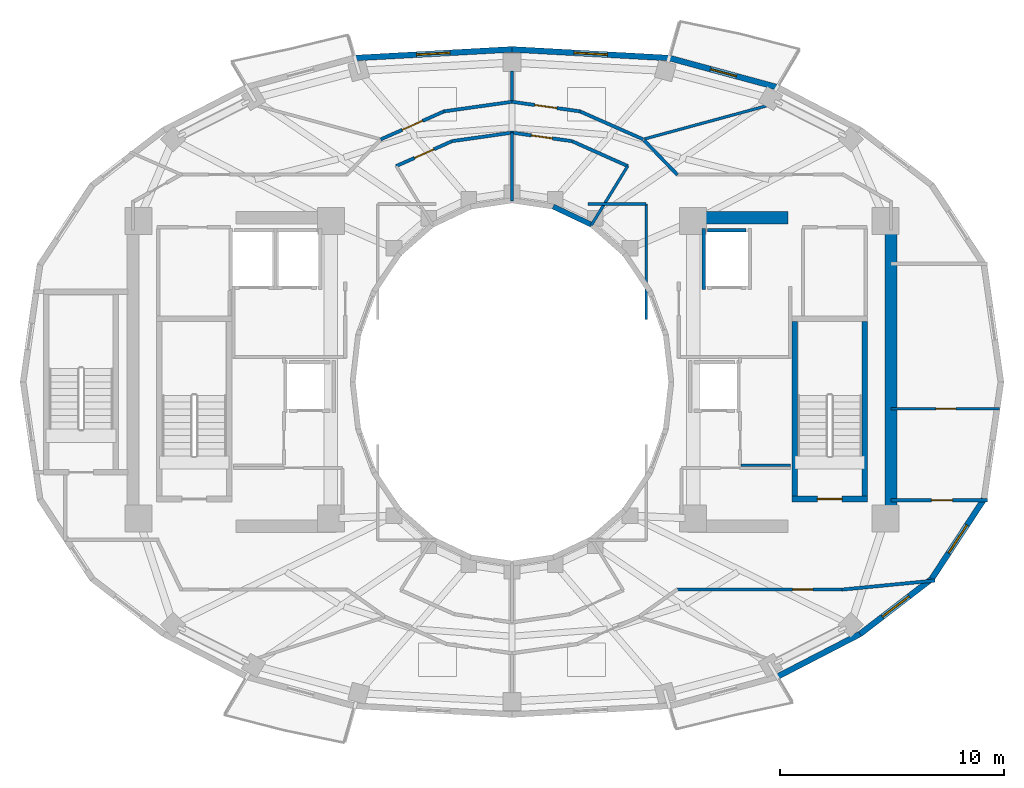
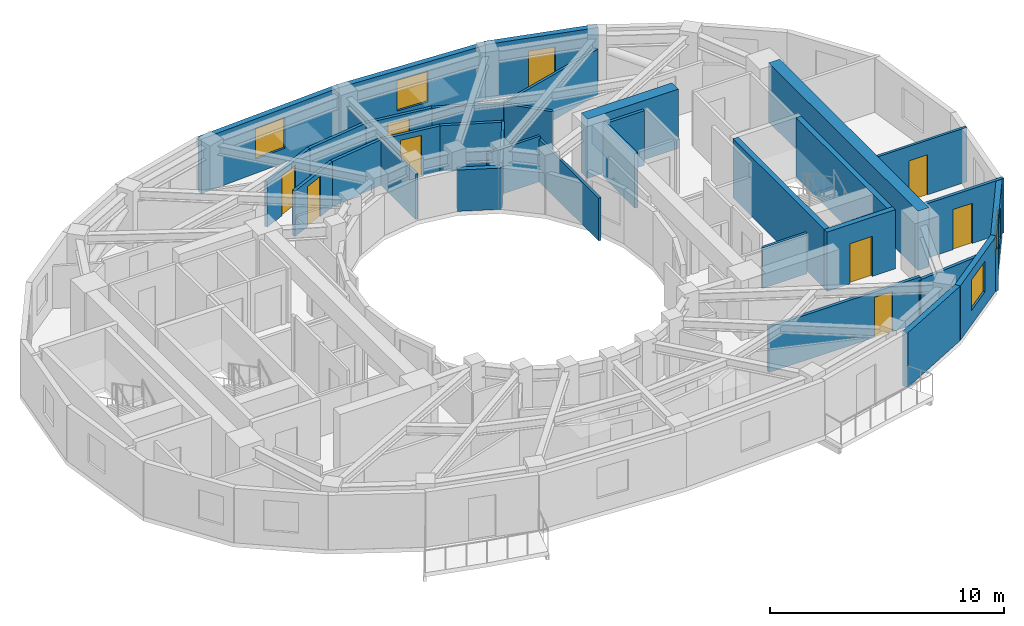
# One storey, part 6 of 10: 34 walls, 9 doors, 4 windows, 13 openings.
"""IFC4 building model written with IfcOpenShell, lengths in metres."""

import ifcopenshell
import ifcopenshell.guid

model = None  # the IFC model being written
_history = None  # IfcOwnerHistory: only IFC2X3 demands one
_inside = {}  # id of a spatial element -> (the spatial element, [elements in it])
_under = {}  # id of a project, library or spatial element -> (it, [spatial elements below it])
_declared = {}  # id of a project -> (the project, [libraries it declares])
_typed = {}  # id of a type object -> (the type object, [elements of that type])
_made_of = {}  # id of a material, layer set ... -> (it, [elements and type objects made of it])


def new_model(schema):
    """Start an empty IFC model of exactly this schema.

    Asked for "IFC4X3", IfcOpenShell would pick the latest addendum, in which some entities
    have other attributes; the version numbers below select the first issue.
    IFC2X3 requires an IfcOwnerHistory on every rooted entity: one is made here for all.
    """
    global model, _history
    if schema == "IFC4X3":
        model = ifcopenshell.file(schema_version=(4, 3, 0, 0))
    else:
        model = ifcopenshell.file(schema=schema)
    _inside.clear()
    _under.clear()
    _declared.clear()
    _typed.clear()
    _made_of.clear()
    _history = None
    if model.schema == "IFC2X3":
        org = make("IfcOrganization", Name="unknown")
        user = make(
            "IfcPersonAndOrganization",
            ThePerson=make("IfcPerson", FamilyName="unknown"),
            TheOrganization=org,
        )
        app = make(
            "IfcApplication",
            ApplicationDeveloper=org,
            Version="unknown",
            ApplicationFullName="unknown",
            ApplicationIdentifier="unknown",
        )
        _history = make(
            "IfcOwnerHistory",
            OwningUser=user,
            OwningApplication=app,
            ChangeAction="ADDED",
            CreationDate=0,
        )
    return model


def make(cls, **values):
    """One entity of the class cls with the attributes given. An attribute that is None is left unset."""
    return model.create_entity(
        cls, **{name: value for name, value in values.items() if value is not None}
    )


def rooted(cls, **values):
    """An entity with a GlobalId (a new one), such as an element, a storey or a relation."""
    return make(cls, GlobalId=ifcopenshell.guid.new(), OwnerHistory=_history, **values)


def si_unit(unit_type, name, prefix=None):
    """IfcSIUnit, for example si_unit("LENGTHUNIT", "METRE", prefix="MILLI")."""
    return make("IfcSIUnit", UnitType=unit_type, Prefix=prefix, Name=name)


def assignment(units):
    """IfcUnitAssignment: the units of a project."""
    return None if units is None else make("IfcUnitAssignment", Units=units)


def point(xyz):
    """IfcCartesianPoint."""
    return None if xyz is None else make("IfcCartesianPoint", Coordinates=xyz)


def direction(xyz):
    """IfcDirection."""
    return None if xyz is None else make("IfcDirection", DirectionRatios=xyz)


def frame(location, z_axis=None, x_axis=None):
    """IfcAxis2Placement3D, a coordinate frame: its origin and axes. An axis left out is left unset."""
    return make(
        "IfcAxis2Placement3D",
        Location=point(location),
        Axis=direction(z_axis),
        RefDirection=direction(x_axis),
    )


def frame_2d(location, x_axis=None):
    """IfcAxis2Placement2D, a coordinate frame in the plane: its origin and x axis."""
    return make(
        "IfcAxis2Placement2D", Location=point(location), RefDirection=direction(x_axis)
    )


def origin():
    """The frame at (0, 0, 0) with its axes left unset."""
    return frame((0.0, 0.0, 0.0))


def place(relative_to, where):
    """IfcLocalPlacement: puts the frame where relative to a parent placement (None: the world)."""
    return make(
        "IfcLocalPlacement", PlacementRelTo=relative_to, RelativePlacement=where
    )


def context(
    kind, dimensions, precision=None, world=None, true_north=None, identifier=None
):
    """IfcGeometricRepresentationContext, for example the 3D "Model" context."""
    return make(
        "IfcGeometricRepresentationContext",
        ContextIdentifier=identifier,
        ContextType=kind,
        CoordinateSpaceDimension=dimensions,
        Precision=precision,
        WorldCoordinateSystem=world,
        TrueNorth=true_north,
    )


def subcontext(parent, identifier, kind, view, scale=None):
    """IfcGeometricRepresentationSubContext, for example "Body" below "Model"."""
    return make(
        "IfcGeometricRepresentationSubContext",
        ContextIdentifier=identifier,
        ContextType=kind,
        ParentContext=parent,
        TargetScale=scale,
        TargetView=view,
    )


def project(units=None, contexts=None):
    """IfcProject with its units and contexts."""
    return rooted(
        "IfcProject",
        Name="project",
        RepresentationContexts=contexts,
        UnitsInContext=assignment(units),
    )


def spatial(cls, under=None, at=None, **own):
    """A site, building, storey or space (cls), placed at a placement, below another one or the project."""
    s = rooted(cls, ObjectPlacement=at, **own)
    if under is not None:
        _under.setdefault(under.id(), (under, []))[1].append(s)
    return s


def profile(cls, at=None, kind="AREA", **sizes):
    """A parametric profile (cls). Its sizes go by their IFC names, for example OverallWidth=200.0."""
    return make(cls, ProfileType=kind, Position=at, **sizes)


def rectangle(**sizes):
    """IfcRectangleProfileDef."""
    return profile("IfcRectangleProfileDef", **sizes)


def extrude(swept, where, along, depth):
    """IfcExtrudedAreaSolid: the profile swept, set in the frame where, extruded along a direction by depth."""
    return make(
        "IfcExtrudedAreaSolid",
        SweptArea=swept,
        Position=where,
        ExtrudedDirection=direction(along),
        Depth=depth,
    )


def shape(context_of_items, identifier, shape_type, items):
    """IfcShapeRepresentation: the items that make up one representation, for example the "Body"."""
    return make(
        "IfcShapeRepresentation",
        ContextOfItems=context_of_items,
        RepresentationIdentifier=identifier,
        RepresentationType=shape_type,
        Items=items,
    )


def material(Name=None, Category=None):
    """IfcMaterial."""
    return make("IfcMaterial", Name=Name, Category=Category)


def layer(
    of_material, thickness, ventilated=None, Name=None, Category=None, Priority=None
):
    """IfcMaterialLayer: one layer of a wall or slab, of a material (None: an air gap)."""
    return make(
        "IfcMaterialLayer",
        Material=of_material,
        LayerThickness=thickness,
        IsVentilated=ventilated,
        Name=Name,
        Category=Category,
        Priority=Priority,
    )


def layer_set(layers, Name=None):
    """IfcMaterialLayerSet."""
    return make("IfcMaterialLayerSet", MaterialLayers=layers, LayerSetName=Name)


def made_of(thing, what):
    """Note that an element or type object is made of a material, layer set ...; save() writes the relation."""
    if what is not None:
        _made_of.setdefault(what.id(), (what, []))[1].append(thing)
    return thing


def type_object(cls, material=None, **own):
    """A type object (cls), such as IfcWallType, which elements share."""
    return made_of(rooted(cls, **own), material)


def element(
    cls,
    number,
    at=None,
    inside=None,
    cuts=None,
    type_object=None,
    material=None,
    context=None,
    identifier="Body",
    shape_type=None,
    held_by="IfcProductDefinitionShape",
    body=None,
    shapes=None,
    **own,
):
    """One element of the class cls, such as IfcWall. Its Tag is "e" and its number.

    at: its placement. inside: the storey or other place that contains it. cuts: it is an
    opening in that element (IfcRelVoidsElement). A single representation is given by context,
    identifier, shape_type and body (its items); several are given by shapes. held_by: the class
    of the entity that holds the representations. save() writes the other relations.
    """
    e = rooted(cls, Tag="e%d" % number, ObjectPlacement=at, **own)
    if body is not None:
        shapes = [shape(context, identifier, shape_type, body)]
    if shapes is not None:
        e.Representation = make(held_by, Representations=shapes)
    if inside is not None:
        _inside.setdefault(inside.id(), (inside, []))[1].append(e)
    if cuts is not None:
        rooted(
            "IfcRelVoidsElement", RelatingBuildingElement=cuts, RelatedOpeningElement=e
        )
    if type_object is not None:
        _typed.setdefault(type_object.id(), (type_object, []))[1].append(e)
    return made_of(e, material)


def fill(opening, filler):
    """IfcRelFillsElement: the door or window that sits in an opening."""
    return rooted(
        "IfcRelFillsElement",
        RelatingOpeningElement=opening,
        RelatedBuildingElement=filler,
    )


def aggregate(whole, parts):
    """IfcRelAggregates: a whole, such as a stair, and the parts it consists of."""
    return rooted("IfcRelAggregates", RelatingObject=whole, RelatedObjects=parts)


def save(model, path):
    """Write the relations noted so far, then the file.

    IfcRelAggregates (storeys below a building ...), IfcRelContainedInSpatialStructure (elements
    in a storey), IfcRelDefinesByType, IfcRelAssociatesMaterial and IfcRelDeclares: one each for
    every whole, place, type object, material and project.
    """
    for whole, parts in _under.values():
        aggregate(whole, parts)
    for where, things in _inside.values():
        rooted(
            "IfcRelContainedInSpatialStructure",
            RelatedElements=things,
            RelatingStructure=where,
        )
    for kind, things in _typed.values():
        rooted("IfcRelDefinesByType", RelatedObjects=things, RelatingType=kind)
    for what, things in _made_of.values():
        rooted("IfcRelAssociatesMaterial", RelatedObjects=things, RelatingMaterial=what)
    for by, libraries in _declared.values():
        rooted("IfcRelDeclares", RelatingContext=by, RelatedDefinitions=libraries)
    model.write(path)


model = new_model("IFC4")

# Units and contexts
model_context = context("Model", 3, precision=1e-05, world=origin(), true_north=direction((0.0, 1.0)))
body_context = subcontext(model_context, "Body", "Model", "MODEL_VIEW")
ifc_project = project(units=[si_unit("LENGTHUNIT", "METRE"), si_unit("AREAUNIT", "SQUARE_METRE"), si_unit("VOLUMEUNIT", "CUBIC_METRE"), si_unit("PLANEANGLEUNIT", "RADIAN"), si_unit("MASSUNIT", "GRAM", prefix="KILO")], contexts=[model_context])

# Site, building, storey
site_placement = place(None, origin())
site = spatial("IfcSite", under=ifc_project, at=site_placement, CompositionType="ELEMENT")
building_placement = place(site_placement, origin())
building = spatial("IfcBuilding", under=site, at=building_placement, Name="Solvane Sanctuary Tower", CompositionType="ELEMENT")
storey_placement = place(building_placement, frame((0.0, 0.0, 204.699951171875)))
storey = spatial("IfcBuildingStorey", under=building, at=storey_placement, Name="L62", CompositionType="ELEMENT", Elevation=204.699951171875)

# Walls
ifc_material_1 = material(Name="Concrete C50/60", Category="concrete")
ifc_layer_1 = layer(ifc_material_1, 0.550048828125, Name="Concrete C50/60")
ifc_layer_set_1 = layer_set([ifc_layer_1], Name="Concrete C50/60")
wall_type_1 = type_object("IfcWallType", Name="Wall W-CORE-550", PredefinedType="SHEAR", material=ifc_layer_set_1)
wall_1_placement = place(storey_placement, frame((48.949951171875, 17.050048828125, 0.0), z_axis=(0.0, 0.0, 1.0), x_axis=(0.0, 1.0, 0.0)))
element("IfcWall", 1, at=wall_1_placement, inside=storey, type_object=wall_type_1, Name="L62 Core Shear Wall EC-E", PredefinedType="SHEAR", context=body_context, shape_type="SweptSolid", body=[
    extrude(rectangle(XDim=12.800048828125, YDim=0.550048828125, at=frame_2d((6.39990234375, 0.0))), origin(), (0.0, 0.0, 1.0), 3.10009765625),
])
wall_2_placement = place(storey_placement, frame((39.85009765625, 30.35009765625, 0.0), z_axis=(0.0, 0.0, 1.0), x_axis=(1.0, 0.0, 0.0)))
element("IfcWall", 2, at=wall_2_placement, inside=storey, type_object=wall_type_1, Name="L62 Core Shear Wall EC-N", PredefinedType="SHEAR", context=body_context, shape_type="SweptSolid", body=[
    extrude(rectangle(XDim=4.5, YDim=0.550048828125, at=frame_2d((2.25, 0.0))), origin(), (0.0, 0.0, 1.0), 3.10009765625),
])
ifc_material_2 = material(Name="Acoustic Gypsum Partition Board")
ifc_layer_2 = layer(ifc_material_2, 0.14990234375, Name="Acoustic Gypsum Partition Board")
ifc_layer_set_2 = layer_set([ifc_layer_2], Name="Acoustic Gypsum Partition Board")
wall_type_2 = type_object("IfcWallType", Name="Wall W-CORR-150", PredefinedType="PARTITIONING", material=ifc_layer_set_2)
wall_3_placement = place(storey_placement, frame((37.181396484375, 32.65234375, 0.0), z_axis=(0.0, 0.0, 1.0), x_axis=(-0.913120130558, 0.407690602257, 0.0)))
element("IfcWall", 3, at=wall_3_placement, inside=storey, type_object=wall_type_2, Name="L62 Light-Well Alcove Corridor Wall 1", PredefinedType="PARTITIONING", context=body_context, shape_type="SweptSolid", body=[
    extrude(rectangle(XDim=2.74267578125, YDim=0.14990234375, at=frame_2d((1.371337890625, 0.0))), origin(), (0.0, 0.0, 1.0), 2.3759765625),
])

# Wall, opening, door
wall_4_placement = place(storey_placement, frame((34.680419921875, 33.76953125, 0.0), z_axis=(0.0, 0.0, 1.0), x_axis=(-0.990132151456, 0.140136799779, 0.0)))
wall_4 = element("IfcWall", 4, at=wall_4_placement, inside=storey, type_object=wall_type_2, Name="L62 Light-Well Alcove Corridor Wall 1", PredefinedType="PARTITIONING", context=body_context, shape_type="SweptSolid", body=[
    extrude(rectangle(XDim=2.71435546875, YDim=0.14990234375, at=frame_2d((1.357177734375, 0.0))), origin(), (0.0, 0.0, 1.0), 2.3759765625),
])
opening_1_placement = place(wall_4_placement, frame((0.882080078125, 0.0, 0.0)))
opening_1 = element("IfcOpeningElement", 5, at=opening_1_placement, cuts=wall_4, Name="Opening D-L62-16", PredefinedType="OPENING", context=body_context, shape_type="SweptSolid", body=[
    extrude(rectangle(XDim=0.949951171875, YDim=2.10009765625, at=frame_2d((0.47509765625, 1.050048828125))), frame((0.0, 0.0849609375, 0.0), z_axis=(0.0, -1.0, 0.0), x_axis=(1.0, 0.0, 0.0)), (0.0, 0.0, 1.0), 0.169921875),
])
ifc_material_3 = material(Name="Engineered Tropical Hardwood", Category="wood")
door_type_1 = type_object("IfcDoorType", Name="Door D-ROOM-950", OperationType="NOTDEFINED", PredefinedType="DOOR", material=ifc_material_3)
door_1_placement = place(opening_1_placement, origin())
door_1 = element("IfcDoor", 6, at=door_1_placement, inside=storey, type_object=door_type_1, Name="L62 Light-Well Alcove Door 1", OperationType="SINGLE_SWING_LEFT", OverallHeight=2.10009765625, OverallWidth=0.949951171875, PredefinedType="DOOR", context=body_context, shape_type="SweptSolid", body=[
    extrude(rectangle(XDim=0.949951171875, YDim=2.10009765625, at=frame_2d((0.47509765625, 1.050048828125))), frame((0.0, 0.02490234375, 0.0), z_axis=(0.0, -1.0, 0.0), x_axis=(1.0, 0.0, 0.0)), (0.0, 0.0, 1.0), 0.050048828125),
])
fill(opening_1, door_1)

# Wall
wall_5_placement = place(storey_placement, frame((32.007080078125, 34.14990234375, 0.0), z_axis=(0.0, 0.0, 1.0), x_axis=(-0.990132151456, -0.140136799779, 0.0)))
element("IfcWall", 7, at=wall_5_placement, inside=storey, type_object=wall_type_2, Name="L62 Light-Well Alcove Corridor Wall 2", PredefinedType="PARTITIONING", context=body_context, shape_type="SweptSolid", body=[
    extrude(rectangle(XDim=2.71435546875, YDim=0.14990234375, at=frame_2d((1.357177734375, 0.0))), origin(), (0.0, 0.0, 1.0), 2.3759765625),
])

# Wall, opening, door
wall_6_placement = place(storey_placement, frame((29.322998046875, 33.7705078125, 0.0), z_axis=(0.0, 0.0, 1.0), x_axis=(-0.913120130558, -0.407690602257, 0.0)))
wall_6 = element("IfcWall", 8, at=wall_6_placement, inside=storey, type_object=wall_type_2, Name="L62 Light-Well Alcove Corridor Wall 2", PredefinedType="PARTITIONING", context=body_context, shape_type="SweptSolid", body=[
    extrude(rectangle(XDim=2.74267578125, YDim=0.14990234375, at=frame_2d((1.371337890625, 0.0))), origin(), (0.0, 0.0, 1.0), 2.3759765625),
])
opening_2_placement = place(wall_6_placement, frame((0.896240234375, 0.0, 0.0)))
opening_2 = element("IfcOpeningElement", 9, at=opening_2_placement, cuts=wall_6, Name="Opening D-L62-17", PredefinedType="OPENING", context=body_context, shape_type="SweptSolid", body=[
    extrude(rectangle(XDim=0.949951171875, YDim=2.10009765625, at=frame_2d((0.47509765625, 1.050048828125))), frame((0.0, 0.0849609375, 0.0), z_axis=(0.0, -1.0, 0.0), x_axis=(1.0, 0.0, 0.0)), (0.0, 0.0, 1.0), 0.169921875),
])
door_2_placement = place(opening_2_placement, origin())
door_2 = element("IfcDoor", 10, at=door_2_placement, inside=storey, type_object=door_type_1, Name="L62 Light-Well Alcove Door 2", OperationType="SINGLE_SWING_RIGHT", OverallHeight=2.10009765625, OverallWidth=0.949951171875, PredefinedType="DOOR", context=body_context, shape_type="SweptSolid", body=[
    extrude(rectangle(XDim=0.949951171875, YDim=2.10009765625, at=frame_2d((0.47509765625, 1.050048828125))), frame((0.0, 0.02490234375, 0.0), z_axis=(0.0, -1.0, 0.0), x_axis=(1.0, 0.0, 0.0)), (0.0, 0.0, 1.0), 0.050048828125),
])
fill(opening_2, door_2)

wall_7_placement = place(storey_placement, frame((48.949951171875, 17.718505859375, 0.0), z_axis=(0.0, 0.0, 1.0), x_axis=(1.0, 0.0, 0.0)))
wall_7 = element("IfcWall", 11, at=wall_7_placement, inside=storey, type_object=wall_type_2, Name="L62 East Shoulder South Wall", PredefinedType="PARTITIONING", context=body_context, shape_type="SweptSolid", body=[
    extrude(rectangle(XDim=4.3203125, YDim=0.14990234375, at=frame_2d((2.16015625, 0.0))), origin(), (0.0, 0.0, 1.0), 2.85498046875),
])
opening_3_placement = place(wall_7_placement, frame((1.801025390625, 0.0, 0.0)))
opening_3 = element("IfcOpeningElement", 12, at=opening_3_placement, cuts=wall_7, Name="Opening D-L62-20", PredefinedType="OPENING", context=body_context, shape_type="SweptSolid", body=[
    extrude(rectangle(XDim=0.949951171875, YDim=2.10009765625, at=frame_2d((0.47509765625, 1.050048828125))), frame((0.0, 0.0849609375, 0.0), z_axis=(0.0, -1.0, 0.0), x_axis=(1.0, 0.0, 0.0)), (0.0, 0.0, 1.0), 0.169921875),
])
door_3_placement = place(opening_3_placement, origin())
door_3 = element("IfcDoor", 13, at=door_3_placement, inside=storey, type_object=door_type_1, Name="L62 East Shoulder South Door", OperationType="SINGLE_SWING_LEFT", OverallHeight=2.10009765625, OverallWidth=0.949951171875, PredefinedType="DOOR", context=body_context, shape_type="SweptSolid", body=[
    extrude(rectangle(XDim=0.949951171875, YDim=2.10009765625, at=frame_2d((0.47509765625, 1.050048828125))), frame((0.0, 0.02490234375, 0.0), z_axis=(0.0, -1.0, 0.0), x_axis=(1.0, 0.0, 0.0)), (0.0, 0.0, 1.0), 0.050048828125),
])
fill(opening_3, door_3)

# Wall
wall_8_placement = place(storey_placement, frame((37.9033203125, 33.811767578125, 0.0), z_axis=(0.0, 0.0, 1.0), x_axis=(0.694032962553, -0.719943224768, 0.0)))
element("IfcWall", 14, at=wall_8_placement, inside=storey, type_object=wall_type_2, Name="L62 NE Corner Throat Wall", PredefinedType="PARTITIONING", context=body_context, shape_type="SweptSolid", body=[
    extrude(rectangle(XDim=2.15771484375, YDim=0.14990234375, at=frame_2d((1.078857421875, 0.0))), origin(), (0.0, 0.0, 1.0), 2.3759765625),
])

# Wall, opening, door
wall_9_placement = place(storey_placement, frame((39.330078125, 13.719970703125, 0.0), z_axis=(0.0, 0.0, 1.0), x_axis=(1.0, 0.0, 0.0)))
wall_9 = element("IfcWall", 15, at=wall_9_placement, inside=storey, type_object=wall_type_2, Name="L62 SE Corner Corridor Wall", PredefinedType="PARTITIONING", context=body_context, shape_type="SweptSolid", body=[
    extrude(rectangle(XDim=7.52001953125, YDim=0.14990234375, at=frame_2d((3.760009765625, 0.0))), origin(), (0.0, 0.0, 1.0), 2.3759765625),
])
opening_4_placement = place(wall_9_placement, frame((5.219970703125, 0.0, 0.0)))
opening_4 = element("IfcOpeningElement", 16, at=opening_4_placement, cuts=wall_9, Name="Opening D-L62-26", PredefinedType="OPENING", context=body_context, shape_type="SweptSolid", body=[
    extrude(rectangle(XDim=0.89990234375, YDim=2.10009765625, at=frame_2d((0.449951171875, 1.050048828125))), frame((0.0, 0.0849609375, 0.0), z_axis=(0.0, -1.0, 0.0), x_axis=(1.0, 0.0, 0.0)), (0.0, 0.0, 1.0), 0.169921875),
])
door_type_2 = type_object("IfcDoorType", Name="Door D-WET-900", OperationType="NOTDEFINED", PredefinedType="DOOR", material=ifc_material_3)
door_4_placement = place(opening_4_placement, origin())
door_4 = element("IfcDoor", 17, at=door_4_placement, inside=storey, type_object=door_type_2, Name="L62 SE Corner Salon Door", OperationType="SINGLE_SWING_LEFT", OverallHeight=2.10009765625, OverallWidth=0.89990234375, PredefinedType="DOOR", context=body_context, shape_type="SweptSolid", body=[
    extrude(rectangle(XDim=0.89990234375, YDim=2.10009765625, at=frame_2d((0.449951171875, 1.050048828125))), frame((0.0, 0.02490234375, 0.0), z_axis=(0.0, -1.0, 0.0), x_axis=(1.0, 0.0, 0.0)), (0.0, 0.0, 1.0), 0.050048828125),
])
fill(opening_4, door_4)

# Walls
wall_10_placement = place(storey_placement, frame((46.750244140625, 13.715087890625, 0.0), z_axis=(0.0, 0.0, 1.0), x_axis=(0.995223854991, 0.097619047609, 0.0)))
element("IfcWall", 18, at=wall_10_placement, inside=storey, type_object=wall_type_2, Name="L62 SE Corner Wing Wall", PredefinedType="PARTITIONING", context=body_context, shape_type="SweptSolid", body=[
    extrude(rectangle(XDim=4.181640625, YDim=0.14990234375, at=frame_2d((2.0908203125, 0.0))), origin(), (0.0, 0.0, 1.0), 2.219970703125),
])
wall_11_placement = place(storey_placement, frame((37.8720703125, 33.846923828125, 0.0), z_axis=(0.0, 0.0, 1.0), x_axis=(-0.914490094652, 0.40460828808, 0.0)))
element("IfcWall", 19, at=wall_11_placement, inside=storey, type_object=wall_type_2, Name="L62 Unit Corridor Wall N1", PredefinedType="PARTITIONING", context=body_context, shape_type="SweptSolid", body=[
    extrude(rectangle(XDim=3.10986328125, YDim=0.14990234375, at=frame_2d((1.554931640625, 0.0))), origin(), (0.0, 0.0, 1.0), 2.3759765625),
])

# Wall, opening, door
wall_12_placement = place(storey_placement, frame((35.0439453125, 35.100830078125, 0.0), z_axis=(0.0, 0.0, 1.0), x_axis=(-0.990257602807, 0.139247549651, 0.0)))
wall_12 = element("IfcWall", 20, at=wall_12_placement, inside=storey, type_object=wall_type_2, Name="L62 Unit Corridor Wall N1", PredefinedType="PARTITIONING", context=body_context, shape_type="SweptSolid", body=[
    extrude(rectangle(XDim=3.082275390625, YDim=0.14990234375, at=frame_2d((1.541015625, 0.0))), origin(), (0.0, 0.0, 1.0), 2.3759765625),
])
opening_5_placement = place(wall_12_placement, frame((1.041015625, 0.0, 0.0)))
opening_5 = element("IfcOpeningElement", 21, at=opening_5_placement, cuts=wall_12, Name="Opening D-L62-27", PredefinedType="OPENING", context=body_context, shape_type="SweptSolid", body=[
    extrude(rectangle(XDim=1.0, YDim=2.10009765625, at=frame_2d((0.5, 1.050048828125))), frame((0.0, 0.0849609375, 0.0), z_axis=(0.0, -1.0, 0.0), x_axis=(1.0, 0.0, 0.0)), (0.0, 0.0, 1.0), 0.169921875),
])
door_type_3 = type_object("IfcDoorType", Name="Door D-UNIT", OperationType="NOTDEFINED", PredefinedType="DOOR", material=ifc_material_3)
door_5_placement = place(opening_5_placement, origin())
door_5 = element("IfcDoor", 22, at=door_5_placement, inside=storey, type_object=door_type_3, Name="L62 Unit Entrance Door N1", OperationType="SINGLE_SWING_RIGHT", OverallHeight=2.10009765625, OverallWidth=1.0, PredefinedType="DOOR", context=body_context, shape_type="SweptSolid", body=[
    extrude(rectangle(XDim=1.0, YDim=2.10009765625, at=frame_2d((0.5, 1.050048828125))), frame((0.0, 0.02490234375, 0.0), z_axis=(0.0, -1.0, 0.0), x_axis=(1.0, 0.0, 0.0)), (0.0, 0.0, 1.0), 0.050048828125),
])
fill(opening_5, door_5)

# Wall
wall_13_placement = place(storey_placement, frame((32.00830078125, 35.530029296875, 0.0), z_axis=(0.0, 0.0, 1.0), x_axis=(-0.990257602807, -0.139247549651, 0.0)))
element("IfcWall", 23, at=wall_13_placement, inside=storey, type_object=wall_type_2, Name="L62 Unit Corridor Wall N2", PredefinedType="PARTITIONING", context=body_context, shape_type="SweptSolid", body=[
    extrude(rectangle(XDim=3.082275390625, YDim=0.14990234375, at=frame_2d((1.541015625, 0.0))), origin(), (0.0, 0.0, 1.0), 2.3759765625),
])

# Wall, opening, door
wall_14_placement = place(storey_placement, frame((28.971923828125, 35.105224609375, 0.0), z_axis=(0.0, 0.0, 1.0), x_axis=(-0.914490094652, -0.40460828808, 0.0)))
wall_14 = element("IfcWall", 24, at=wall_14_placement, inside=storey, type_object=wall_type_2, Name="L62 Unit Corridor Wall N2", PredefinedType="PARTITIONING", context=body_context, shape_type="SweptSolid", body=[
    extrude(rectangle(XDim=3.10986328125, YDim=0.14990234375, at=frame_2d((1.554931640625, 0.0))), origin(), (0.0, 0.0, 1.0), 2.3759765625),
])
opening_6_placement = place(wall_14_placement, frame((1.054931640625, 0.0, 0.0)))
opening_6 = element("IfcOpeningElement", 25, at=opening_6_placement, cuts=wall_14, Name="Opening D-L62-28", PredefinedType="OPENING", context=body_context, shape_type="SweptSolid", body=[
    extrude(rectangle(XDim=1.0, YDim=2.10009765625, at=frame_2d((0.5, 1.050048828125))), frame((0.0, 0.0849609375, 0.0), z_axis=(0.0, -1.0, 0.0), x_axis=(1.0, 0.0, 0.0)), (0.0, 0.0, 1.0), 0.169921875),
])
door_6_placement = place(opening_6_placement, origin())
door_6 = element("IfcDoor", 26, at=door_6_placement, inside=storey, type_object=door_type_3, Name="L62 Unit Entrance Door N2", OperationType="SINGLE_SWING_LEFT", OverallHeight=2.10009765625, OverallWidth=1.0, PredefinedType="DOOR", context=body_context, shape_type="SweptSolid", body=[
    extrude(rectangle(XDim=1.0, YDim=2.10009765625, at=frame_2d((0.5, 1.050048828125))), frame((0.0, 0.02490234375, 0.0), z_axis=(0.0, -1.0, 0.0), x_axis=(1.0, 0.0, 0.0)), (0.0, 0.0, 1.0), 0.050048828125),
])
fill(opening_6, door_6)

ifc_material_4 = material(Name="Precast concrete C40/50", Category="concrete")
ifc_layer_3 = layer(ifc_material_4, 0.260009765625, Name="Precast concrete C40/50")
ifc_layer_set_3 = layer_set([ifc_layer_3], Name="Precast concrete C40/50")
wall_type_3 = type_object("IfcWallType", Name="Wall W-EXT-250", PredefinedType="STANDARD", material=ifc_layer_set_3)
wall_15_placement = place(storey_placement, frame((43.8701171875, 36.177001953125, 0.0), z_axis=(0.0, 0.0, 1.0), x_axis=(-0.965213026382, 0.261464746576, 0.0)))
wall_15 = element("IfcWall", 27, at=wall_15_placement, inside=storey, type_object=wall_type_3, Name="L62 Balcony Facade Wall N1", PredefinedType="STANDARD", context=body_context, shape_type="SweptSolid", body=[
    extrude(rectangle(XDim=5.001220703125, YDim=0.260009765625, at=frame_2d((2.50048828125, 0.0))), origin(), (0.0, 0.0, 1.0), 2.880126953125),
])
opening_7_placement = place(wall_15_placement, frame((1.900390625, 0.0, 0.0)))
opening_7 = element("IfcOpeningElement", 28, at=opening_7_placement, cuts=wall_15, Name="Opening D-L62-01", PredefinedType="OPENING", context=body_context, shape_type="SweptSolid", body=[
    extrude(rectangle(XDim=1.199951171875, YDim=2.199951171875, at=frame_2d((0.60009765625, 1.10009765625))), frame((0.0, 0.139892578125, 0.0), z_axis=(0.0, -1.0, 0.0), x_axis=(1.0, 0.0, 0.0)), (0.0, 0.0, 1.0), 0.280029296875),
])
ifc_material_5 = material(Name="Anodised Aluminium 6063-T6", Category="aluminium")
door_type_4 = type_object("IfcDoorType", Name="Door D-BALC-1200", OperationType="NOTDEFINED", PredefinedType="DOOR", material=ifc_material_5)
door_7_placement = place(opening_7_placement, origin())
door_7 = element("IfcDoor", 29, at=door_7_placement, inside=storey, type_object=door_type_4, Name="L62 Glazed Balcony Door N1", OperationType="SINGLE_SWING_RIGHT", OverallHeight=2.199951171875, OverallWidth=1.199951171875, PredefinedType="DOOR", context=body_context, shape_type="SweptSolid", body=[
    extrude(rectangle(XDim=1.199951171875, YDim=2.199951171875, at=frame_2d((0.60009765625, 1.10009765625))), frame((0.0, 0.02490234375, 0.0), z_axis=(0.0, -1.0, 0.0), x_axis=(1.0, 0.0, 0.0)), (0.0, 0.0, 1.0), 0.050048828125),
])
fill(opening_7, door_7)

# Wall, opening, window
wall_16_placement = place(storey_placement, frame((39.04296875, 37.484619140625, 0.0), z_axis=(0.0, 0.0, 1.0), x_axis=(-0.998490239527, 0.054929423535, 0.0)))
wall_16 = element("IfcWall", 30, at=wall_16_placement, inside=storey, type_object=wall_type_3, Name="L62 Ceramic-Printed Facade Wall 05", PredefinedType="STANDARD", context=body_context, shape_type="SweptSolid", body=[
    extrude(rectangle(XDim=7.0537109375, YDim=0.260009765625, at=frame_2d((3.52685546875, 0.0))), origin(), (0.0, 0.0, 1.0), 2.85009765625),
])
opening_8_placement = place(wall_16_placement, frame((2.77685546875, 0.0, 0.75)))
opening_8 = element("IfcOpeningElement", 31, at=opening_8_placement, cuts=wall_16, Name="Opening WN-OPER-1500", PredefinedType="OPENING", context=body_context, shape_type="SweptSolid", body=[
    extrude(rectangle(XDim=1.5, YDim=1.60009765625, at=frame_2d((0.75, 0.800048828125))), frame((0.0, 0.139892578125, 0.0), z_axis=(0.0, -1.0, 0.0), x_axis=(1.0, 0.0, 0.0)), (0.0, 0.0, 1.0), 0.280029296875),
])
ifc_material_6 = material(Name="Dark Ceramic-Fritted Low-E Glass", Category="glass")
window_type = type_object("IfcWindowType", Name="Window WN-OPER-1500", PartitioningType="SINGLE_PANEL", PredefinedType="WINDOW", material=ifc_material_6)
window_1_placement = place(opening_8_placement, origin())
window_1 = element("IfcWindow", 32, at=window_1_placement, inside=storey, type_object=window_type, Name="L62 Operable Facade Window 05", OverallHeight=1.60009765625, OverallWidth=1.5, PartitioningType="SINGLE_PANEL", PredefinedType="WINDOW", context=body_context, shape_type="SweptSolid", body=[
    extrude(rectangle(XDim=1.5, YDim=1.60009765625, at=frame_2d((0.75, 0.800048828125))), frame((0.0, 0.030029296875, 0.0), z_axis=(0.0, -1.0, 0.0), x_axis=(1.0, 0.0, 0.0)), (0.0, 0.0, 1.0), 0.06005859375),
])
fill(opening_8, window_1)

wall_17_placement = place(storey_placement, frame((32.0, 37.8720703125, 0.0), z_axis=(0.0, 0.0, 1.0), x_axis=(-0.998490239527, -0.054929423535, 0.0)))
wall_17 = element("IfcWall", 33, at=wall_17_placement, inside=storey, type_object=wall_type_3, Name="L62 Ceramic-Printed Facade Wall 06", PredefinedType="STANDARD", context=body_context, shape_type="SweptSolid", body=[
    extrude(rectangle(XDim=7.0537109375, YDim=0.260009765625, at=frame_2d((3.52685546875, 0.0))), origin(), (0.0, 0.0, 1.0), 2.85009765625),
])
opening_9_placement = place(wall_17_placement, frame((2.77685546875, 0.0, 0.75)))
opening_9 = element("IfcOpeningElement", 34, at=opening_9_placement, cuts=wall_17, Name="Opening WN-OPER-1500", PredefinedType="OPENING", context=body_context, shape_type="SweptSolid", body=[
    extrude(rectangle(XDim=1.5, YDim=1.60009765625, at=frame_2d((0.75, 0.800048828125))), frame((0.0, 0.139892578125, 0.0), z_axis=(0.0, -1.0, 0.0), x_axis=(1.0, 0.0, 0.0)), (0.0, 0.0, 1.0), 0.280029296875),
])
window_2_placement = place(opening_9_placement, origin())
window_2 = element("IfcWindow", 35, at=window_2_placement, inside=storey, type_object=window_type, Name="L62 Operable Facade Window 06", OverallHeight=1.60009765625, OverallWidth=1.5, PartitioningType="SINGLE_PANEL", PredefinedType="WINDOW", context=body_context, shape_type="SweptSolid", body=[
    extrude(rectangle(XDim=1.5, YDim=1.60009765625, at=frame_2d((0.75, 0.800048828125))), frame((0.0, 0.030029296875, 0.0), z_axis=(0.0, -1.0, 0.0), x_axis=(1.0, 0.0, 0.0)), (0.0, 0.0, 1.0), 0.06005859375),
])
fill(opening_9, window_2)

# Wall
wall_18_placement = place(storey_placement, frame((43.8701171875, 9.822998046875, 0.0), z_axis=(0.0, 0.0, 1.0), x_axis=(0.88849146803, 0.458893137057, 0.0)))
element("IfcWall", 36, at=wall_18_placement, inside=storey, type_object=wall_type_3, Name="L62 Ceramic-Printed Facade Wall 20", PredefinedType="STANDARD", context=body_context, shape_type="SweptSolid", body=[
    extrude(rectangle(XDim=4.150390625, YDim=0.260009765625, at=frame_2d((2.0751953125, 0.0))), origin(), (0.0, 0.0, 1.0), 2.85009765625),
])

# Wall, opening, window
wall_19_placement = place(storey_placement, frame((47.5576171875, 11.7275390625, 0.0), z_axis=(0.0, 0.0, 1.0), x_axis=(0.792713817907, 0.609593965603, 0.0)))
wall_19 = element("IfcWall", 37, at=wall_19_placement, inside=storey, type_object=wall_type_3, Name="L62 Ceramic-Printed Facade Wall 21", PredefinedType="STANDARD", context=body_context, shape_type="SweptSolid", body=[
    extrude(rectangle(XDim=4.041015625, YDim=0.260009765625, at=frame_2d((2.0205078125, 0.0))), origin(), (0.0, 0.0, 1.0), 2.85009765625),
])
opening_10_placement = place(wall_19_placement, frame((1.2705078125, 0.0, 0.75)))
opening_10 = element("IfcOpeningElement", 38, at=opening_10_placement, cuts=wall_19, Name="Opening WN-OPER-1500", PredefinedType="OPENING", context=body_context, shape_type="SweptSolid", body=[
    extrude(rectangle(XDim=1.5, YDim=1.60009765625, at=frame_2d((0.75, 0.800048828125))), frame((0.0, 0.139892578125, 0.0), z_axis=(0.0, -1.0, 0.0), x_axis=(1.0, 0.0, 0.0)), (0.0, 0.0, 1.0), 0.280029296875),
])
window_3_placement = place(opening_10_placement, origin())
window_3 = element("IfcWindow", 39, at=window_3_placement, inside=storey, type_object=window_type, Name="L62 Operable Facade Window 21", OverallHeight=1.60009765625, OverallWidth=1.5, PartitioningType="SINGLE_PANEL", PredefinedType="WINDOW", context=body_context, shape_type="SweptSolid", body=[
    extrude(rectangle(XDim=1.5, YDim=1.60009765625, at=frame_2d((0.75, 0.800048828125))), frame((0.0, 0.030029296875, 0.0), z_axis=(0.0, -1.0, 0.0), x_axis=(1.0, 0.0, 0.0)), (0.0, 0.0, 1.0), 0.06005859375),
])
fill(opening_10, window_3)

wall_20_placement = place(storey_placement, frame((50.760986328125, 14.19091796875, 0.0), z_axis=(0.0, 0.0, 1.0), x_axis=(0.548776305075, 0.835969238064, 0.0)))
wall_20 = element("IfcWall", 40, at=wall_20_placement, inside=storey, type_object=wall_type_3, Name="L62 Ceramic-Printed Facade Wall 22", PredefinedType="STANDARD", context=body_context, shape_type="SweptSolid", body=[
    extrude(rectangle(XDim=4.270751953125, YDim=0.260009765625, at=frame_2d((2.13525390625, 0.0))), origin(), (0.0, 0.0, 1.0), 2.85009765625),
])
opening_11_placement = place(wall_20_placement, frame((1.385498046875, 0.0, 0.75)))
opening_11 = element("IfcOpeningElement", 41, at=opening_11_placement, cuts=wall_20, Name="Opening WN-OPER-1500", PredefinedType="OPENING", context=body_context, shape_type="SweptSolid", body=[
    extrude(rectangle(XDim=1.5, YDim=1.60009765625, at=frame_2d((0.75, 0.800048828125))), frame((0.0, 0.139892578125, 0.0), z_axis=(0.0, -1.0, 0.0), x_axis=(1.0, 0.0, 0.0)), (0.0, 0.0, 1.0), 0.280029296875),
])
window_4_placement = place(opening_11_placement, origin())
window_4 = element("IfcWindow", 42, at=window_4_placement, inside=storey, type_object=window_type, Name="L62 Operable Facade Window 22", OverallHeight=1.60009765625, OverallWidth=1.5, PartitioningType="SINGLE_PANEL", PredefinedType="WINDOW", context=body_context, shape_type="SweptSolid", body=[
    extrude(rectangle(XDim=1.5, YDim=1.60009765625, at=frame_2d((0.75, 0.800048828125))), frame((0.0, 0.030029296875, 0.0), z_axis=(0.0, -1.0, 0.0), x_axis=(1.0, 0.0, 0.0)), (0.0, 0.0, 1.0), 0.06005859375),
])
fill(opening_11, window_4)

# Wall
ifc_layer_4 = layer(ifc_material_4, 0.22998046875, Name="Precast concrete C40/50")
ifc_layer_set_4 = layer_set([ifc_layer_4], Name="Precast concrete C40/50")
wall_type_4 = type_object("IfcWallType", Name="Wall W-EXT-SP220", PredefinedType="STANDARD", material=ifc_layer_set_4)
wall_21_placement = place(storey_placement, frame((35.56005859375, 30.031982421875, 0.0), z_axis=(0.0, 0.0, 1.0), x_axis=(-0.904179699603, 0.427152280606, 0.0)))
element("IfcWall", 43, at=wall_21_placement, inside=storey, type_object=wall_type_4, Name="L62 Central Light-Well Wall 04", PredefinedType="STANDARD", context=body_context, shape_type="SweptSolid", body=[
    extrude(rectangle(XDim=1.899169921875, YDim=0.22998046875, at=frame_2d((0.94970703125, 0.0))), origin(), (0.0, 0.0, 1.0), 2.16015625),
])

# Wall, opening, door
ifc_layer_5 = layer(ifc_material_2, 0.1201171875, Name="Acoustic Gypsum Partition Board")
ifc_layer_set_5 = layer_set([ifc_layer_5], Name="Acoustic Gypsum Partition Board")
wall_type_5 = type_object("IfcWallType", Name="Wall W-MOV-100", PredefinedType="MOVABLE", material=ifc_layer_set_5)
wall_22_placement = place(storey_placement, frame((48.949951171875, 21.800048828125, 0.0), z_axis=(0.0, 0.0, 1.0), x_axis=(1.0, 0.0, 0.0)))
wall_22 = element("IfcWall", 44, at=wall_22_placement, inside=storey, type_object=wall_type_5, Name="L62 East Suite Partition", PredefinedType="MOVABLE", context=body_context, shape_type="SweptSolid", body=[
    extrude(rectangle(XDim=4.847412109375, YDim=0.1201171875, at=frame_2d((2.423828125, 0.0))), origin(), (0.0, 0.0, 1.0), 2.85498046875),
])
opening_12_placement = place(wall_22_placement, frame((2.0, 0.0, 0.0)))
opening_12 = element("IfcOpeningElement", 45, at=opening_12_placement, cuts=wall_22, Name="Opening D-L62-21", PredefinedType="OPENING", context=body_context, shape_type="SweptSolid", body=[
    extrude(rectangle(XDim=0.89990234375, YDim=2.10009765625, at=frame_2d((0.449951171875, 1.050048828125))), frame((0.0, 0.070068359375, 0.0), z_axis=(0.0, -1.0, 0.0), x_axis=(1.0, 0.0, 0.0)), (0.0, 0.0, 1.0), 0.14013671875),
])
door_8_placement = place(opening_12_placement, origin())
door_8 = element("IfcDoor", 46, at=door_8_placement, inside=storey, type_object=door_type_2, Name="L62 East Suite Internal Door", OperationType="SINGLE_SWING_RIGHT", OverallHeight=2.10009765625, OverallWidth=0.89990234375, PredefinedType="DOOR", context=body_context, shape_type="SweptSolid", body=[
    extrude(rectangle(XDim=0.89990234375, YDim=2.10009765625, at=frame_2d((0.449951171875, 1.050048828125))), frame((0.0, 0.02490234375, 0.0), z_axis=(0.0, -1.0, 0.0), x_axis=(1.0, 0.0, 0.0)), (0.0, 0.0, 1.0), 0.050048828125),
])
fill(opening_12, door_8)

# Walls
ifc_layer_6 = layer(ifc_material_2, 0.125, Name="Acoustic Gypsum Partition Board")
ifc_layer_set_6 = layer_set([ifc_layer_6], Name="Acoustic Gypsum Partition Board")
wall_type_6 = type_object("IfcWallType", Name="Wall W-PART-125", PredefinedType="PARTITIONING", material=ifc_layer_set_6)
wall_23_placement = place(storey_placement, frame((42.239990234375, 19.280029296875, 0.0), z_axis=(0.0, 0.0, 1.0), x_axis=(1.0, 0.0, 0.0)))
element("IfcWall", 47, at=wall_23_placement, inside=storey, type_object=wall_type_6, Name="L62 Reclaimed Room Closer Wall PME-1", PredefinedType="PARTITIONING", context=body_context, shape_type="SweptSolid", body=[
    extrude(rectangle(XDim=2.2099609375, YDim=0.125, at=frame_2d((1.10498046875, 0.0))), origin(), (0.0, 0.0, 1.0), 2.1201171875),
])
wall_24_placement = place(storey_placement, frame((35.550048828125, 30.014892578125, 0.0), z_axis=(0.0, 0.0, 1.0), x_axis=(0.523992004803, 0.851723182086, 0.0)))
element("IfcWall", 48, at=wall_24_placement, inside=storey, type_object=wall_type_6, Name="L62 Light-Well Alcove Radial Wall 60", PredefinedType="PARTITIONING", context=body_context, shape_type="SweptSolid", body=[
    extrude(rectangle(XDim=3.10107421875, YDim=0.125, at=frame_2d((1.550537109375, 0.0))), origin(), (0.0, 0.0, 1.0), 2.3759765625),
])
wall_25_placement = place(storey_placement, frame((32.0, 31.10009765625, 0.0), z_axis=(0.0, 0.0, 1.0), x_axis=(0.0, 1.0, 0.0)))
element("IfcWall", 49, at=wall_25_placement, inside=storey, type_object=wall_type_6, Name="L62 Light-Well Alcove Radial Wall 90", PredefinedType="PARTITIONING", context=body_context, shape_type="SweptSolid", body=[
    extrude(rectangle(XDim=3.0498046875, YDim=0.125, at=frame_2d((1.52490234375, 0.0))), origin(), (0.0, 0.0, 1.0), 2.3759765625),
])
wall_26_placement = place(storey_placement, frame((38.0, 25.800048828125, 0.0), z_axis=(0.0, 0.0, 1.0), x_axis=(0.0, 1.0, 0.0)))
element("IfcWall", 50, at=wall_26_placement, inside=storey, type_object=wall_type_6, Name="L62 Bridge Alcove Wall 3", PredefinedType="PARTITIONING", context=body_context, shape_type="SweptSolid", body=[
    extrude(rectangle(XDim=5.159912109375, YDim=0.125, at=frame_2d((2.580078125, 0.0))), origin(), (0.0, 0.0, 1.0), 2.23193359375),
])
wall_27_placement = place(storey_placement, frame((35.39990234375, 30.9599609375, 0.0), z_axis=(0.0, 0.0, 1.0), x_axis=(1.0, 0.0, 0.0)))
element("IfcWall", 51, at=wall_27_placement, inside=storey, type_object=wall_type_6, Name="L62 Bridge Alcove Wall 4", PredefinedType="PARTITIONING", context=body_context, shape_type="SweptSolid", body=[
    extrude(rectangle(XDim=2.60009765625, YDim=0.125, at=frame_2d((1.300048828125, 0.0))), origin(), (0.0, 0.0, 1.0), 2.3759765625),
])
wall_28_placement = place(storey_placement, frame((37.918212890625, 33.86572265625, 0.0), z_axis=(0.0, 0.0, 1.0), x_axis=(0.965109390289, 0.261847025523, 0.0)))
element("IfcWall", 52, at=wall_28_placement, inside=storey, type_object=wall_type_6, Name="L62 Radial Compartment Wall 060", PredefinedType="PARTITIONING", context=body_context, shape_type="SweptSolid", body=[
    extrude(rectangle(XDim=5.643798828125, YDim=0.125, at=frame_2d((2.82177734375, 0.0))), origin(), (0.0, 0.0, 1.0), 2.3759765625),
])
wall_29_placement = place(storey_placement, frame((32.0, 35.5849609375, 0.0), z_axis=(0.0, 0.0, 1.0), x_axis=(0.0, 1.0, 0.0)))
element("IfcWall", 53, at=wall_29_placement, inside=storey, type_object=wall_type_6, Name="L62 Radial Compartment Wall 090", PredefinedType="PARTITIONING", context=body_context, shape_type="SweptSolid", body=[
    extrude(rectangle(XDim=1.31494140625, YDim=0.125, at=frame_2d((0.657470703125, 0.0))), origin(), (0.0, 0.0, 1.0), 2.3759765625),
])
ifc_layer_7 = layer(ifc_material_1, 0.14990234375, Name="Concrete C50/60")
ifc_layer_set_7 = layer_set([ifc_layer_7], Name="Concrete C50/60")
wall_type_7 = type_object("IfcWallType", Name="Wall W-SHAFT-150", PredefinedType="SOLIDWALL", material=ifc_layer_set_7)
wall_30_placement = place(storey_placement, frame((40.739990234375, 29.780029296875, 0.0), z_axis=(0.0, 0.0, 1.0), x_axis=(1.0, 0.0, 0.0)))
element("IfcWall", 54, at=wall_30_placement, inside=storey, type_object=wall_type_7, Name="L62 FFL-2 Lift Shaft Wall B", PredefinedType="SOLIDWALL", context=body_context, shape_type="SweptSolid", body=[
    extrude(rectangle(XDim=1.719970703125, YDim=0.14990234375, at=frame_2d((0.85986328125, 0.0))), origin(), (0.0, 0.0, 1.0), 2.85498046875),
])
wall_31_placement = place(storey_placement, frame((40.570068359375, 27.139892578125, 0.0), z_axis=(0.0, 0.0, 1.0), x_axis=(0.0, 1.0, 0.0)))
element("IfcWall", 55, at=wall_31_placement, inside=storey, type_object=wall_type_7, Name="L62 FFL-2 Lift Shaft Wall S1", PredefinedType="SOLIDWALL", context=body_context, shape_type="SweptSolid", body=[
    extrude(rectangle(XDim=2.72021484375, YDim=0.14990234375, at=frame_2d((1.360107421875, 0.0))), origin(), (0.0, 0.0, 1.0), 2.85498046875),
])

# Wall, opening, door
ifc_layer_8 = layer(ifc_material_1, 0.25, Name="Concrete C50/60")
ifc_layer_set_8 = layer_set([ifc_layer_8], Name="Concrete C50/60")
wall_type_8 = type_object("IfcWallType", Name="Wall W-SHAFT-250", PredefinedType="SOLIDWALL", material=ifc_layer_set_8)
wall_32_placement = place(storey_placement, frame((44.52490234375, 17.77001953125, 0.0), z_axis=(0.0, 0.0, 1.0), x_axis=(1.0, 0.0, 0.0)))
wall_32 = element("IfcWall", 56, at=wall_32_placement, inside=storey, type_object=wall_type_8, Name="L62 ST-2 Load-Bearing Shaft Wall S", PredefinedType="SOLIDWALL", context=body_context, shape_type="SweptSolid", body=[
    extrude(rectangle(XDim=3.3701171875, YDim=0.25, at=frame_2d((1.68505859375, 0.0))), origin(), (0.0, 0.0, 1.0), 3.10009765625),
])
opening_13_placement = place(wall_32_placement, frame((1.135009765625, 0.0, 0.0)))
opening_13 = element("IfcOpeningElement", 57, at=opening_13_placement, cuts=wall_32, Name="Opening D-L62-06", PredefinedType="OPENING", context=body_context, shape_type="SweptSolid", body=[
    extrude(rectangle(XDim=1.10009765625, YDim=2.10009765625, at=frame_2d((0.550048828125, 1.050048828125))), frame((0.0, 0.135009765625, 0.0), z_axis=(0.0, -1.0, 0.0), x_axis=(1.0, 0.0, 0.0)), (0.0, 0.0, 1.0), 0.27001953125),
])
ifc_material_7 = material(Name="Architectural Stainless Steel 316", Category="steel")
door_type_5 = type_object("IfcDoorType", Name="Door D-STAIR", OperationType="NOTDEFINED", PredefinedType="DOOR", material=ifc_material_7)
door_9_placement = place(opening_13_placement, origin())
door_9 = element("IfcDoor", 58, at=door_9_placement, inside=storey, type_object=door_type_5, Name="L62 ST-2 Exit Stair Fire Door", OperationType="SINGLE_SWING_LEFT", OverallHeight=2.10009765625, OverallWidth=1.10009765625, PredefinedType="DOOR", context=body_context, shape_type="SweptSolid", body=[
    extrude(rectangle(XDim=1.10009765625, YDim=2.10009765625, at=frame_2d((0.550048828125, 1.050048828125))), frame((0.0, 0.02490234375, 0.0), z_axis=(0.0, -1.0, 0.0), x_axis=(1.0, 0.0, 0.0)), (0.0, 0.0, 1.0), 0.050048828125),
])
fill(opening_13, door_9)

# Walls
for number, where, z_axis, x_axis, name in (
    (59, (44.64990234375, 17.89501953125, 0.0), (0.0, 0.0, 1.0), (0.0, 1.0, 0.0), "L62 ST-2 Load-Bearing Shaft Wall W"),
    (60, (47.77001953125, 17.89501953125, 0.0), (0.0, 0.0, 1.0), (0.0, 1.0, 0.0), "L62 ST-2 Load-Bearing Shaft Wall E"),
):
    element("IfcWall", number, at=place(storey_placement, frame(where, z_axis=z_axis, x_axis=x_axis)), inside=storey, type_object=wall_type_8, Name=name, PredefinedType="SOLIDWALL", context=body_context, shape_type="SweptSolid", body=[
        extrude(rectangle(XDim=7.81005859375, YDim=0.25, at=frame_2d((3.905029296875, 0.0))), origin(), (0.0, 0.0, 1.0), 3.10009765625),
    ])

save(model, "model.ifc")
